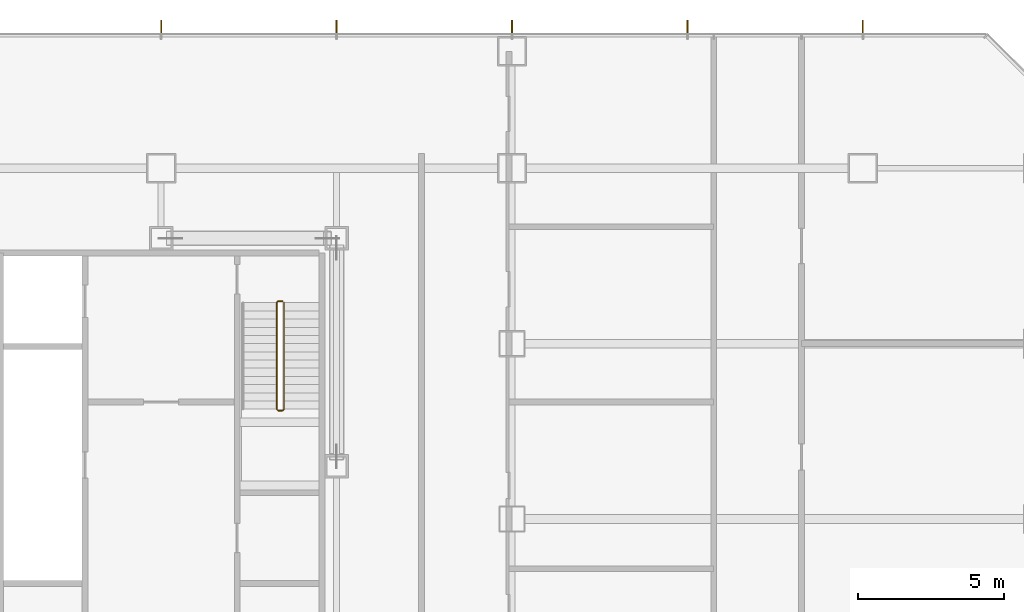
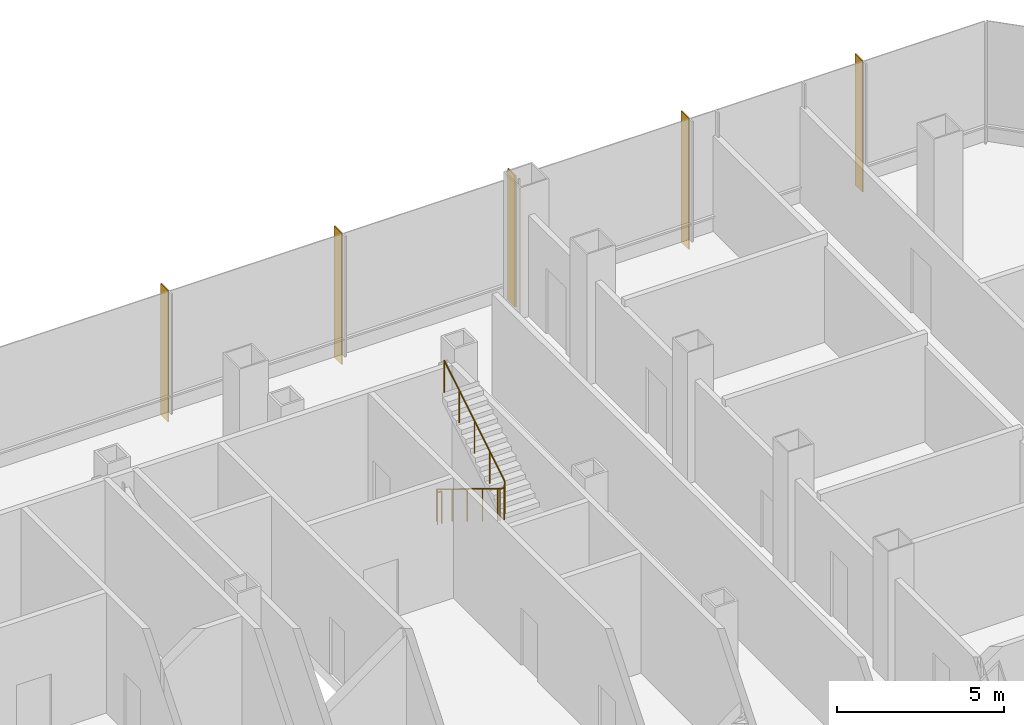
# One storey, part 30 of 33: 5 shading devices, 1 railing.
"""IFC4 building model written with IfcOpenShell, lengths in metres."""

from ifc_helpers import new_model, si_unit, direction, frame, origin, origin_2d, place, context, subcontext, project, spatial, rectangle, circle, extrude, material, material_profile, profile_set, type_object, element, save


model = new_model("IFC4")

# Units and contexts
model_context = context("Model", 3, precision=1e-05, world=origin(), true_north=direction((0.0, 1.0)))
body_context = subcontext(model_context, "Body", "Model", "MODEL_VIEW")
ifc_project = project(units=[si_unit("LENGTHUNIT", "METRE"), si_unit("AREAUNIT", "SQUARE_METRE"), si_unit("VOLUMEUNIT", "CUBIC_METRE"), si_unit("PLANEANGLEUNIT", "RADIAN"), si_unit("MASSUNIT", "GRAM", prefix="KILO")], contexts=[model_context])

# Site, building, storey
site_placement = place(None, origin())
site = spatial("IfcSite", under=ifc_project, at=site_placement, CompositionType="ELEMENT")
building_placement = place(site_placement, origin())
building = spatial("IfcBuilding", under=site, at=building_placement, Name="Sorahane Residences", CompositionType="ELEMENT")
storey_placement = place(building_placement, frame((0.0, 0.0, 30.0)))
storey = spatial("IfcBuildingStorey", under=building, at=storey_placement, Name="L04", CompositionType="ELEMENT", Elevation=30.0)

# Shading devices
ifc_material_1 = material(Name="Terracotta anodised aluminium", Category="masonry")
ifc_material_profile = material_profile(ifc_material_1, rectangle(XDim=0.449951171875, YDim=0.0400390625, at=origin_2d()), Name="Podium vertical fin terracotta anodised aluminium 450x40")
ifc_profile_set = profile_set([ifc_material_profile], Name="Terracotta anodised aluminium")
shading_device_type = type_object("IfcShadingDeviceType", Name="Podium vertical fin terracotta anodised aluminium 450x40", PredefinedType="USERDEFINED", material=ifc_profile_set)
for number, where, z_axis, x_axis, name in (
    (1, (60.0, 52.844970703125, -0.39990234375), (0.0, 0.0, 1.0), (0.0, 1.0, 0.0), "Podium vertical fin L04 N1.1"),
    (2, (54.0, 52.844970703125, -0.39990234375), (0.0, 0.0, 1.0), (0.0, 1.0, 0.0), "Podium vertical fin L04 N1.2"),
    (3, (48.0, 52.844970703125, -0.39990234375), (0.0, 0.0, 1.0), (0.0, 1.0, 0.0), "Podium vertical fin L04 N1.3"),
    (4, (42.0, 52.844970703125, -0.39990234375), (0.0, 0.0, 1.0), (0.0, 1.0, 0.0), "Podium vertical fin L04 N1.4"),
    (5, (36.0, 52.844970703125, -0.39990234375), (0.0, 0.0, 1.0), (0.0, 1.0, 0.0), "Podium vertical fin L04 N1.5"),
):
    element("IfcShadingDevice", number, at=place(storey_placement, frame(where, z_axis=z_axis, x_axis=x_axis)), inside=storey, type_object=shading_device_type, Name=name, ObjectType="Vertical fin", PredefinedType="USERDEFINED", context=body_context, shape_type="SweptSolid", body=[
        extrude(rectangle(XDim=0.449951171875, YDim=0.0400390625, at=origin_2d()), origin(), (0.0, 0.0, 1.0), 4.7998046875),
    ])

# Railing
ifc_material_2 = material(Name="Steel Q355B", Category="steel")
railing_type = type_object("IfcRailingType", Name="Stair guard 1200 Steel Q355B", PredefinedType="GUARDRAIL", material=ifc_material_2)
railing_placement = place(storey_placement, frame((40.14990234375, 43.449951171875, 0.0)))
element("IfcRailing", 6, at=railing_placement, inside=storey, type_object=railing_type, Name="L04 S2 stair guard 1", PredefinedType="GUARDRAIL", context=body_context, shape_type="SweptSolid", body=[
    extrude(circle(Radius=0.02392578125, at=origin_2d()), frame((0.0, 0.0, 1.17578125), z_axis=(-1.0, 0.0, 0.0), x_axis=(0.0, -1.0, 0.0)), (0.0, 0.0, 1.0), 0.14990234375),
    extrude(circle(Radius=0.02392578125, at=origin_2d()), frame((-0.14990234375, 0.0, 1.17578125), z_axis=(-0.269911200495, -0.269911200495, 0.924281281696), x_axis=(0.707106781187, -0.707106781187, 0.0)), (0.0, 0.0, 1.0), 0.185546875),
    extrude(circle(Radius=0.02392578125, at=origin_2d()), frame((-0.199951171875, -0.050048828125, 1.34716796875), z_axis=(0.0, -0.852850264322, 0.5221555579), x_axis=(1.0, 0.0, 0.0)), (0.0, 0.0, 1.0), 4.267822265625),
    extrude(circle(Radius=0.02392578125, at=origin_2d()), frame((-0.199951171875, -3.68994140625, 3.57568359375), z_axis=(0.707106781187, -0.707106781187, 0.0), x_axis=(0.707106781187, 0.707106781187, 0.0)), (0.0, 0.0, 1.0), 0.07080078125),
    extrude(circle(Radius=0.02392578125, at=origin_2d()), frame((-0.14990234375, -3.739990234375, 3.57568359375), z_axis=(1.0, 0.0, 0.0), x_axis=(0.0, 1.0, 0.0)), (0.0, 0.0, 1.0), 0.14990234375),
    extrude(circle(Radius=0.02392578125, at=origin_2d()), frame((0.0, -3.739990234375, 3.57568359375), z_axis=(0.269583098496, 0.269583098496, 0.924472771914), x_axis=(-0.707106781187, 0.707106781187, 0.0)), (0.0, 0.0, 1.0), 0.185546875),
    extrude(circle(Radius=0.02392578125, at=origin_2d()), frame((0.050048828125, -3.68994140625, 3.74755859375), z_axis=(0.0, 0.852850264322, 0.5221555579), x_axis=(-1.0, 0.0, 0.0)), (0.0, 0.0, 1.0), 4.267822265625),
    extrude(circle(Radius=0.02099609375, at=origin_2d()), origin(), (0.0, 0.0, 1.0), 1.15185546875),
    extrude(circle(Radius=0.02099609375, at=origin_2d()), frame((-0.14990234375, 0.0, 0.0)), (0.0, 0.0, 1.0), 1.15185546875),
    extrude(circle(Radius=0.02099609375, at=origin_2d()), frame((-0.199951171875, -0.050048828125, 0.17138671875)), (0.0, 0.0, 1.0), 1.15185546875),
    extrude(circle(Radius=0.02099609375, at=origin_2d()), frame((-0.199951171875, -0.9599609375, 0.728515625)), (0.0, 0.0, 1.0), 1.15185546875),
    extrude(circle(Radius=0.02099609375, at=origin_2d()), frame((-0.199951171875, -1.8701171875, 1.28564453125)), (0.0, 0.0, 1.0), 1.15185546875),
    extrude(circle(Radius=0.02099609375, at=origin_2d()), frame((-0.199951171875, -2.780029296875, 1.8427734375)), (0.0, 0.0, 1.0), 1.15185546875),
    extrude(circle(Radius=0.02099609375, at=origin_2d()), frame((-0.199951171875, -3.68994140625, 2.39990234375)), (0.0, 0.0, 1.0), 1.15185546875),
    extrude(circle(Radius=0.02099609375, at=origin_2d()), frame((-0.14990234375, -3.739990234375, 2.39990234375)), (0.0, 0.0, 1.0), 1.15185546875),
    extrude(circle(Radius=0.02099609375, at=origin_2d()), frame((0.0, -3.739990234375, 2.39990234375)), (0.0, 0.0, 1.0), 1.15185546875),
    extrude(circle(Radius=0.02099609375, at=origin_2d()), frame((0.050048828125, -3.68994140625, 2.571533203125)), (0.0, 0.0, 1.0), 1.15185546875),
    extrude(circle(Radius=0.02099609375, at=origin_2d()), frame((0.050048828125, -2.780029296875, 3.128662109375)), (0.0, 0.0, 1.0), 1.15185546875),
    extrude(circle(Radius=0.02099609375, at=origin_2d()), frame((0.050048828125, -1.8701171875, 3.685791015625)), (0.0, 0.0, 1.0), 1.15185546875),
    extrude(circle(Radius=0.02099609375, at=origin_2d()), frame((0.050048828125, -0.9599609375, 4.242919921875)), (0.0, 0.0, 1.0), 1.15185546875),
    extrude(circle(Radius=0.02099609375, at=origin_2d()), frame((0.050048828125, -0.050048828125, 4.800048828125)), (0.0, 0.0, 1.0), 1.15185546875),
])

save(model, "model.ifc")
